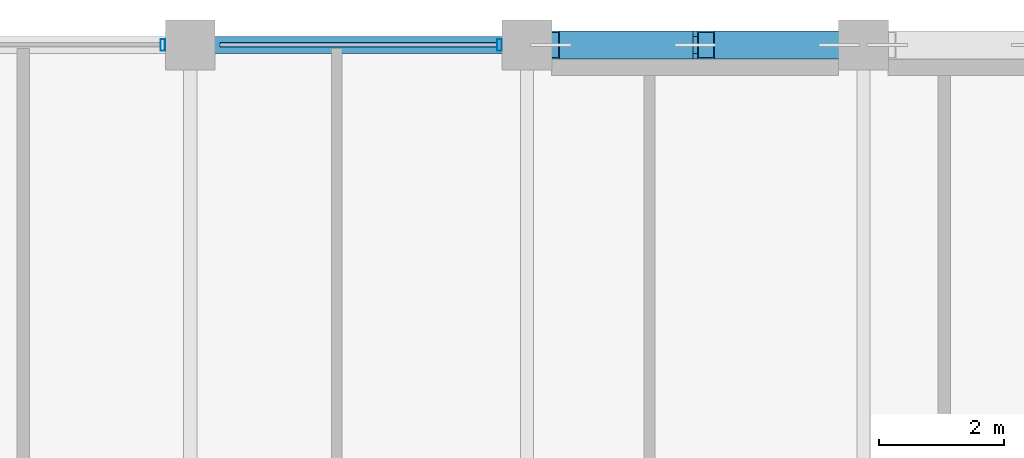
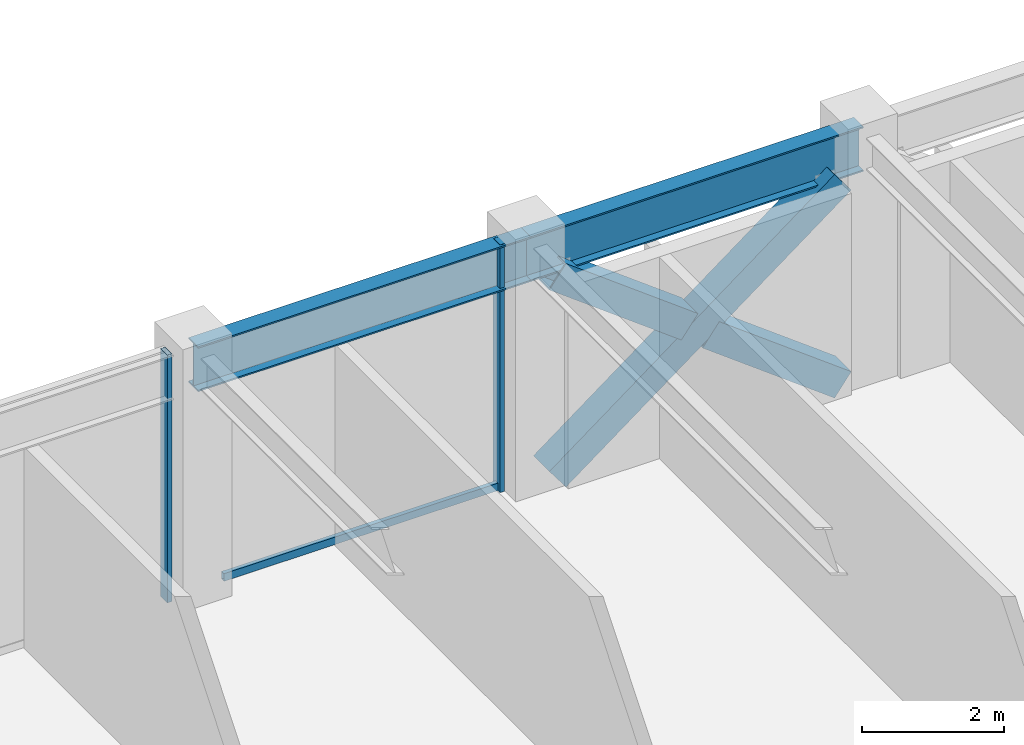
# One storey, part 18 of 28: 6 members, 2 beams, 1 element without a shape of its own.
"""IFC4 building model written with IfcOpenShell, lengths in metres."""

from ifc_helpers import new_model, si_unit, direction, frame, origin, origin_2d, place, context, subcontext, project, spatial, hollow_rectangle, i_section, extrude, material, layer, layer_set, material_profile, profile_set, type_object, element, aggregate, save


model = new_model("IFC4")

# Units and contexts
model_context = context("Model", 3, precision=1e-05, world=origin(), true_north=direction((0.0, 1.0)))
body_context = subcontext(model_context, "Body", "Model", "MODEL_VIEW")
ifc_project = project(units=[si_unit("LENGTHUNIT", "METRE"), si_unit("AREAUNIT", "SQUARE_METRE"), si_unit("VOLUMEUNIT", "CUBIC_METRE"), si_unit("PLANEANGLEUNIT", "RADIAN"), si_unit("MASSUNIT", "GRAM", prefix="KILO")], contexts=[model_context])

# Site, building, storey
site_placement = place(None, origin())
site = spatial("IfcSite", under=ifc_project, at=site_placement, CompositionType="ELEMENT")
building_placement = place(site_placement, origin())
building = spatial("IfcBuilding", under=site, at=building_placement, Name="Surkhivell Harbour Commons", CompositionType="ELEMENT")
storey_placement = place(building_placement, frame((0.0, 0.0, 249.75)))
storey = spatial("IfcBuildingStorey", under=building, at=storey_placement, Name="L65", CompositionType="ELEMENT", Elevation=249.75)

# Beams
ifc_material_1 = material(Name="Steel S355", Category="steel")
ifc_material_profile_1 = material_profile(ifc_material_1, i_section(OverallWidth=0.26806640625, OverallDepth=0.77001953125, WebThickness=0.015625, FlangeThickness=0.025390625, at=origin_2d()), Name="UB762x267x197")
ifc_profile_set_1 = profile_set([ifc_material_profile_1], Name="Steel S355")
beam_type = type_object("IfcBeamType", Name="BM-SPN-762", PredefinedType="SPANDREL", material=ifc_profile_set_1)
beam_1_placement = place(storey_placement, frame((-10.800048828125, 25.89990234375, 3.864990234375), z_axis=(1.0, 0.0, 0.0), x_axis=(0.0, 1.0, 0.0)))
element("IfcBeam", 1, at=beam_1_placement, inside=storey, type_object=beam_type, Name="L65 Tube Spandrel (-10.8,25.9)", PredefinedType="SPANDREL", context=body_context, shape_type="SweptSolid", body=[
    extrude(i_section(OverallWidth=0.26806640625, OverallDepth=0.77001953125, WebThickness=0.015625, FlangeThickness=0.025390625, at=origin_2d()), origin(), (0.0, 0.0, 1.0), 5.400146484375),
])
beam_2_placement = place(storey_placement, frame((-5.39990234375, 25.89990234375, 3.864990234375), z_axis=(1.0, 0.0, 0.0), x_axis=(0.0, 1.0, 0.0)))
element("IfcBeam", 2, at=beam_2_placement, inside=storey, type_object=beam_type, Name="L65 Tube Spandrel (-5.4,25.9)", PredefinedType="SPANDREL", context=body_context, shape_type="SweptSolid", body=[
    extrude(i_section(OverallWidth=0.26806640625, OverallDepth=0.77001953125, WebThickness=0.015625, FlangeThickness=0.025390625, at=origin_2d()), origin(), (0.0, 0.0, 1.0), 5.39990234375),
])

# Curtain wall, members
ifc_material_2 = material(Name="Anodised pale-metal aluminium and insulated glazing", Category="aluminium")
ifc_layer = layer(ifc_material_2, 0.18994140625)
ifc_layer_set = layer_set([ifc_layer], Name="Anodised pale-metal aluminium and insulated glazing")
curtain_wall_type = type_object("IfcCurtainWallType", Name="CW-SYS-Z3", PredefinedType="NOTDEFINED", material=ifc_layer_set)
curtain_wall_placement = place(storey_placement, origin())
curtain_wall = element("IfcCurtainWall", 3, at=curtain_wall_placement, inside=storey, type_object=curtain_wall_type, Name="L65 Curtain Wall CW-L65-E07S2", PredefinedType="NOTDEFINED")
ifc_material_3 = material(Name="Anodised pale-metal aluminium alloy 6063-T6", Category="aluminium")
ifc_material_profile_2 = material_profile(ifc_material_3, hollow_rectangle(XDim=0.074951171875, YDim=0.18994140625, WallThickness=0.00390625, at=origin_2d()), Name="ALU-MULL-75x190")
ifc_profile_set_2 = profile_set([ifc_material_profile_2], Name="Anodised pale-metal aluminium alloy 6063-T6")
member_type_1 = type_object("IfcMemberType", Name="CWM-190", PredefinedType="MULLION", material=ifc_profile_set_2)
member_1_placement = place(storey_placement, frame((-5.839599609375, 25.89990234375, 0.0), z_axis=(0.0, 0.0, 1.0), x_axis=(-1.0, 0.0, 0.0)))
member_1 = element("IfcMember", 4, at=member_1_placement, type_object=member_type_1, Name="CW-Z3 mullion 1", PredefinedType="MULLION", context=body_context, shape_type="SweptSolid", body=[
    extrude(hollow_rectangle(XDim=0.074951171875, YDim=0.18994140625, WallThickness=0.00390625, at=origin_2d()), origin(), (0.0, 0.0, 1.0), 4.25),
])
member_2_placement = place(storey_placement, frame((-11.239501953125, 25.89990234375, 0.0), z_axis=(0.0, 0.0, 1.0), x_axis=(-1.0, 0.0, 0.0)))
member_2 = element("IfcMember", 5, at=member_2_placement, type_object=member_type_1, Name="CW-Z3 mullion 2", PredefinedType="MULLION", context=body_context, shape_type="SweptSolid", body=[
    extrude(hollow_rectangle(XDim=0.074951171875, YDim=0.18994140625, WallThickness=0.00390625, at=origin_2d()), origin(), (0.0, 0.0, 1.0), 4.25),
])
ifc_material_4 = material(Name="Champagne anodised aluminium alloy 6063-T6", Category="aluminium")
ifc_material_profile_3 = material_profile(ifc_material_4, hollow_rectangle(XDim=0.070068359375, YDim=0.1298828125, WallThickness=0.00341796875, at=origin_2d()), Name="ALU-TRAN-70x130")
ifc_profile_set_3 = profile_set([ifc_material_profile_3], Name="Champagne anodised aluminium alloy 6063-T6")
member_type_2 = type_object("IfcMemberType", Name="CWT-130", PredefinedType="USERDEFINED", material=ifc_profile_set_3)
member_3_placement = place(storey_placement, frame((-5.876953125, 25.89990234375, 0.06494140625), z_axis=(-1.0, 0.0, 0.0), x_axis=(0.0, -1.0, 0.0)))
member_3 = element("IfcMember", 6, at=member_3_placement, type_object=member_type_2, Name="CW-Z3 transom 1.1", ObjectType="TRANSOM", PredefinedType="USERDEFINED", context=body_context, shape_type="SweptSolid", body=[
    extrude(hollow_rectangle(XDim=0.070068359375, YDim=0.1298828125, WallThickness=0.00341796875, at=origin_2d()), origin(), (0.0, 0.0, 1.0), 4.446044921875),
])
aggregate(curtain_wall, [member_1, member_3, member_2])

# Members
ifc_material_5 = material(Name="Steel S460", Category="steel")
ifc_material_profile_4 = material_profile(ifc_material_5, hollow_rectangle(XDim=0.449951171875, YDim=0.449951171875, WallThickness=0.02197265625, at=origin_2d()), Name="SHS450x450x22")
ifc_profile_set_4 = profile_set([ifc_material_profile_4], Name="Steel S460")
member_type_3 = type_object("IfcMemberType", Name="MEM-BRC-SHS450", PredefinedType="BRACE", material=ifc_profile_set_4)
member_4_placement = place(storey_placement, frame((-5.014892578125, 25.89990234375, 0.008056640625), z_axis=(0.799716526724, 0.0, 0.600377778473), x_axis=(0.0, 1.0, 0.0)))
element("IfcMember", 7, at=member_4_placement, inside=storey, type_object=member_type_3, Name="L65 Perimeter Mega-Brace MB- 01", PredefinedType="BRACE", context=body_context, shape_type="SweptSolid", body=[
    extrude(hollow_rectangle(XDim=0.449951171875, YDim=0.449951171875, WallThickness=0.02197265625, at=origin_2d()), origin(), (0.0, 0.0, 1.0), 5.789306640625),
])
member_5_placement = place(storey_placement, frame((-0.385009765625, 25.89990234375, 0.008056640625), z_axis=(-0.799748384904, 0.0, 0.600335340326), x_axis=(0.0, -1.0, 0.0)))
element("IfcMember", 8, at=member_5_placement, inside=storey, type_object=member_type_3, Name="L65 Perimeter Mega-Brace MB- 02", PredefinedType="BRACE", context=body_context, shape_type="SweptSolid", body=[
    extrude(hollow_rectangle(XDim=0.449951171875, YDim=0.449951171875, WallThickness=0.02197265625, at=origin_2d()), origin(), (0.0, 0.0, 1.0), 2.6787109375),
])
member_6_placement = place(storey_placement, frame((-2.872802734375, 25.89990234375, 1.875732421875), z_axis=(-0.799715534436, 0.0, 0.60037910022), x_axis=(0.0, -1.0, 0.0)))
element("IfcMember", 9, at=member_6_placement, inside=storey, type_object=member_type_3, Name="L65 Perimeter Mega-Brace MB- 03", PredefinedType="BRACE", context=body_context, shape_type="SweptSolid", body=[
    extrude(hollow_rectangle(XDim=0.449951171875, YDim=0.449951171875, WallThickness=0.02197265625, at=origin_2d()), origin(), (0.0, 0.0, 1.0), 2.678466796875),
])

save(model, "model.ifc")
